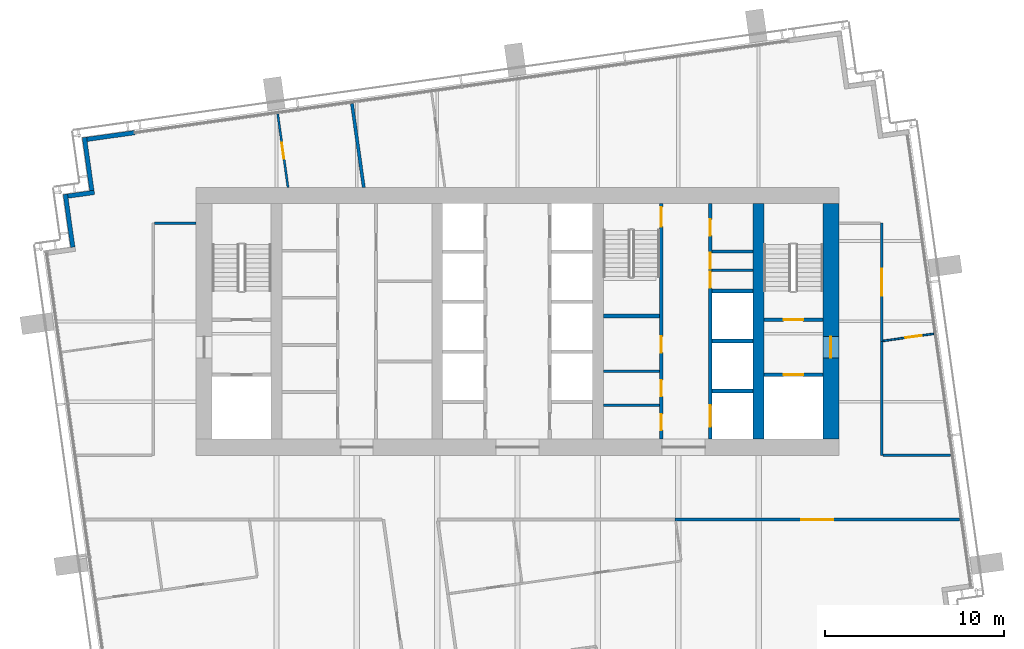
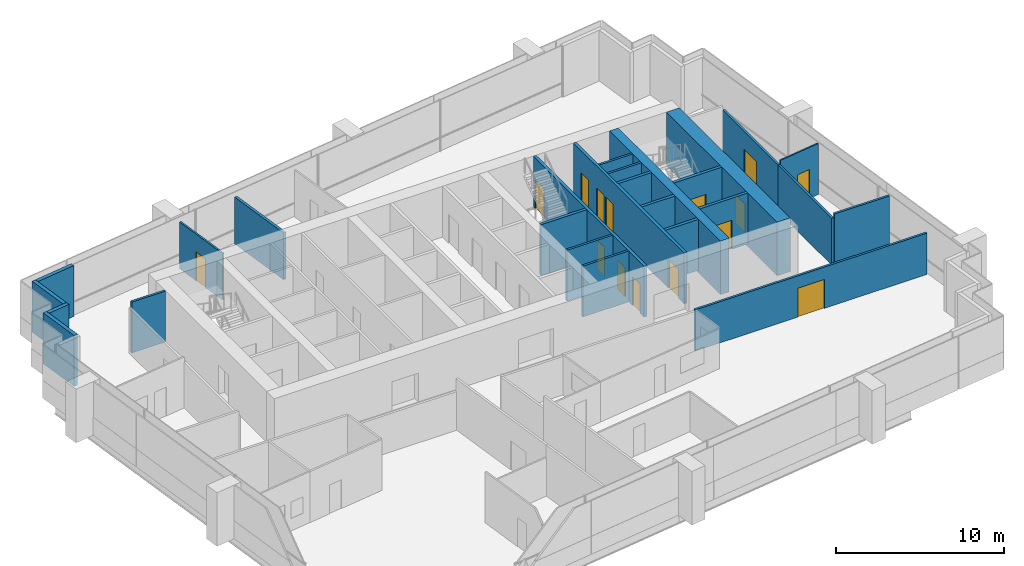
# One storey, part 10 of 15: 26 walls, 15 doors, 15 openings.
"""IFC4 building model written with IfcOpenShell, lengths in metres."""

from ifc_helpers import new_model, si_unit, direction, frame, frame_2d, origin, place, context, subcontext, project, spatial, rectangle, extrude, material, layer, layer_set, type_object, element, fill, save


model = new_model("IFC4")

# Units and contexts
model_context = context("Model", 3, precision=1e-05, world=origin(), true_north=direction((0.0, 1.0)))
body_context = subcontext(model_context, "Body", "Model", "MODEL_VIEW")
ifc_project = project(units=[si_unit("LENGTHUNIT", "METRE"), si_unit("AREAUNIT", "SQUARE_METRE"), si_unit("VOLUMEUNIT", "CUBIC_METRE"), si_unit("PLANEANGLEUNIT", "RADIAN"), si_unit("MASSUNIT", "GRAM", prefix="KILO")], contexts=[model_context])

# Site, building, storey
site_placement = place(None, origin())
site = spatial("IfcSite", under=ifc_project, at=site_placement, CompositionType="ELEMENT")
building_placement = place(site_placement, origin())
building = spatial("IfcBuilding", under=site, at=building_placement, Name="Rattan Terrace Tower", CompositionType="ELEMENT")
storey_placement = place(building_placement, frame((0.0, 0.0, 262.89990234375)))
storey = spatial("IfcBuildingStorey", under=building, at=storey_placement, Name="L60", CompositionType="ELEMENT", Elevation=262.89990234375)

# Walls
ifc_material_1 = material(Name="Gypsum board partition")
ifc_layer_1 = layer(ifc_material_1, 0.14990234375)
ifc_layer_set_1 = layer_set([ifc_layer_1], Name="Core partition 150")
wall_type_1 = type_object("IfcWallType", Name="Core partition 150", PredefinedType="PARTITIONING", material=ifc_layer_set_1)
for number, where, z_axis, x_axis, name in (
    (1, (4.800048828125, -4.696044921875, 0.0), (0.0, 0.0, 1.0), (1.0, 0.0, 0.0), "Toilet wall"),
    (2, (4.800048828125, -2.7919921875, 0.0), (0.0, 0.0, 1.0), (1.0, 0.0, 0.0), "Toilet wall"),
):
    element("IfcWall", number, at=place(storey_placement, frame(where, z_axis=z_axis, x_axis=x_axis)), inside=storey, type_object=wall_type_1, Name=name, PredefinedType="PARTITIONING", context=body_context, shape_type="SweptSolid", body=[
        extrude(rectangle(XDim=3.14990234375, YDim=0.14990234375, at=frame_2d((1.574951171875, 0.0))), origin(), (0.0, 0.0, 1.0), 3.7001953125),
    ])
for number, where, z_axis, x_axis, name in (
    (3, (10.89990234375, 2.85595703125, 0.0), (0.0, 0.0, 1.0), (1.0, 0.0, 0.0), "Riser room wall"),
    (4, (10.89990234375, 3.912109375, 0.0), (0.0, 0.0, 1.0), (1.0, 0.0, 0.0), "Riser room wall"),
):
    element("IfcWall", number, at=place(storey_placement, frame(where, z_axis=z_axis, x_axis=x_axis)), inside=storey, type_object=wall_type_1, Name=name, PredefinedType="PARTITIONING", context=body_context, shape_type="SweptSolid", body=[
        extrude(rectangle(XDim=2.300048828125, YDim=0.14990234375, at=frame_2d((1.14990234375, 0.0))), origin(), (0.0, 0.0, 1.0), 3.7001953125),
    ])

# Wall, opening, door
ifc_material_2 = material(Name="Gypsum board partition")
ifc_layer_2 = layer(ifc_material_2, 0.199951171875)
ifc_layer_set_2 = layer_set([ifc_layer_2], Name="Core partition 200")
wall_type_2 = type_object("IfcWallType", Name="Core partition 200", PredefinedType="PARTITIONING", material=ifc_layer_set_2)
wall_1_placement = place(storey_placement, frame((13.800048828125, -3.0, 0.0), z_axis=(0.0, 0.0, 1.0), x_axis=(1.0, 0.0, 0.0)))
wall_1 = element("IfcWall", 5, at=wall_1_placement, inside=storey, type_object=wall_type_2, Name="Fire-fighting lobby wall", PredefinedType="PARTITIONING", context=body_context, shape_type="SweptSolid", body=[
    extrude(rectangle(XDim=3.300048828125, YDim=0.199951171875, at=frame_2d((1.64990234375, 0.0))), origin(), (0.0, 0.0, 1.0), 3.7001953125),
])
opening_1_placement = place(wall_1_placement, frame((1.10009765625, 0.0, 0.0)))
opening_1 = element("IfcOpeningElement", 6, at=opening_1_placement, cuts=wall_1, Name="Opening L60-LD-FF2", PredefinedType="OPENING", context=body_context, shape_type="SweptSolid", body=[
    extrude(rectangle(XDim=1.10009765625, YDim=2.10009765625, at=frame_2d((0.550048828125, 1.050048828125))), frame((0.0, 0.110595703125, 0.0), z_axis=(0.0, -1.0, 0.0), x_axis=(1.0, 0.0, 0.0)), (0.0, 0.0, 1.0), 0.220947265625),
])
ifc_material_3 = material(Name="Brushed stainless landing door panel")
door_type_1 = type_object("IfcDoorType", Name="Core lift landing door 1100", OperationType="DOUBLE_DOOR_SLIDING", PredefinedType="DOOR", material=ifc_material_3)
door_1_placement = place(opening_1_placement, origin())
door_1 = element("IfcDoor", 7, at=door_1_placement, inside=storey, type_object=door_type_1, Name="Door L60-LD-FF2", OperationType="DOUBLE_DOOR_SLIDING", OverallHeight=2.10009765625, OverallWidth=1.10009765625, PredefinedType="DOOR", context=body_context, shape_type="SweptSolid", body=[
    extrude(rectangle(XDim=1.10009765625, YDim=2.10009765625, at=frame_2d((0.550048828125, 1.050048828125))), frame((0.0, 0.02490234375, 0.0), z_axis=(0.0, -1.0, 0.0), x_axis=(1.0, 0.0, 0.0)), (0.0, 0.0, 1.0), 0.050048828125),
])
fill(opening_1, door_1)

wall_2_placement = place(storey_placement, frame((13.800048828125, 0.10009765625, 0.0), z_axis=(0.0, 0.0, 1.0), x_axis=(1.0, 0.0, 0.0)))
wall_2 = element("IfcWall", 8, at=wall_2_placement, inside=storey, type_object=wall_type_2, Name="Stair enclosure wall", PredefinedType="PARTITIONING", context=body_context, shape_type="SweptSolid", body=[
    extrude(rectangle(XDim=3.300048828125, YDim=0.199951171875, at=frame_2d((1.64990234375, 0.0))), origin(), (0.0, 0.0, 1.0), 3.7001953125),
])
opening_2_placement = place(wall_2_placement, frame((1.10009765625, 0.0, 0.0)))
opening_2 = element("IfcOpeningElement", 9, at=opening_2_placement, cuts=wall_2, Name="Opening L60-D004", PredefinedType="OPENING", context=body_context, shape_type="SweptSolid", body=[
    extrude(rectangle(XDim=1.10009765625, YDim=2.10009765625, at=frame_2d((0.550048828125, 1.050048828125))), frame((0.0, 0.110595703125, 0.0), z_axis=(0.0, -1.0, 0.0), x_axis=(1.0, 0.0, 0.0)), (0.0, 0.0, 1.0), 0.220947265625),
])
ifc_material_4 = material(Name="Hollow-metal fire door leaf")
door_type_2 = type_object("IfcDoorType", Name="Core stair door 1100", OperationType="NOTDEFINED", PredefinedType="DOOR", material=ifc_material_4)
door_2_placement = place(opening_2_placement, origin())
door_2 = element("IfcDoor", 10, at=door_2_placement, inside=storey, type_object=door_type_2, Name="Door L60-D004", OperationType="SINGLE_SWING_RIGHT", OverallHeight=2.10009765625, OverallWidth=1.10009765625, PredefinedType="DOOR", context=body_context, shape_type="SweptSolid", body=[
    extrude(rectangle(XDim=1.10009765625, YDim=2.10009765625, at=frame_2d((0.550048828125, 1.050048828125))), frame((0.0, 0.02490234375, 0.0), z_axis=(0.0, -1.0, 0.0), x_axis=(1.0, 0.0, 0.0)), (0.0, 0.0, 1.0), 0.050048828125),
])
fill(opening_2, door_2)

# Wall, openings, doors
wall_3_placement = place(storey_placement, frame((8.050048828125, -6.60009765625, 0.0), z_axis=(0.0, 0.0, 1.0), x_axis=(0.0, 1.0, 0.0)))
wall_3 = element("IfcWall", 11, at=wall_3_placement, inside=storey, type_object=wall_type_2, Name="Lobby wall west", PredefinedType="PARTITIONING", context=body_context, shape_type="SweptSolid", body=[
    extrude(rectangle(XDim=13.2001953125, YDim=0.199951171875, at=frame_2d((6.60009765625, 0.0))), origin(), (0.0, 0.0, 1.0), 3.7001953125),
])
opening_3_placement = place(wall_3_placement, frame((0.501953125, 0.0, 0.0)))
opening_3 = element("IfcOpeningElement", 12, at=opening_3_placement, cuts=wall_3, Name="Opening L60-D017", PredefinedType="OPENING", context=body_context, shape_type="SweptSolid", body=[
    extrude(rectangle(XDim=0.89990234375, YDim=2.10009765625, at=frame_2d((0.449951171875, 1.050048828125))), frame((0.0, 0.110595703125, 0.0), z_axis=(0.0, -1.0, 0.0), x_axis=(1.0, 0.0, 0.0)), (0.0, 0.0, 1.0), 0.220947265625),
])
opening_4_placement = place(wall_3_placement, frame((2.406005859375, 0.0, 0.0)))
opening_4 = element("IfcOpeningElement", 13, at=opening_4_placement, cuts=wall_3, Name="Opening L60-D018", PredefinedType="OPENING", context=body_context, shape_type="SweptSolid", body=[
    extrude(rectangle(XDim=0.89990234375, YDim=2.10009765625, at=frame_2d((0.449951171875, 1.050048828125))), frame((0.0, 0.110595703125, 0.0), z_axis=(0.0, -1.0, 0.0), x_axis=(1.0, 0.0, 0.0)), (0.0, 0.0, 1.0), 0.220947265625),
])
opening_5_placement = place(wall_3_placement, frame((4.85400390625, 0.0, 0.0)))
opening_5 = element("IfcOpeningElement", 14, at=opening_5_placement, cuts=wall_3, Name="Opening L60-D019", PredefinedType="OPENING", context=body_context, shape_type="SweptSolid", body=[
    extrude(rectangle(XDim=0.89990234375, YDim=2.10009765625, at=frame_2d((0.449951171875, 1.050048828125))), frame((0.0, 0.110595703125, 0.0), z_axis=(0.0, -1.0, 0.0), x_axis=(1.0, 0.0, 0.0)), (0.0, 0.0, 1.0), 0.220947265625),
])
opening_6_placement = place(wall_3_placement, frame((11.89990234375, 0.0, 0.0)))
opening_6 = element("IfcOpeningElement", 15, at=opening_6_placement, cuts=wall_3, Name="Opening L60-D020", PredefinedType="OPENING", context=body_context, shape_type="SweptSolid", body=[
    extrude(rectangle(XDim=1.10009765625, YDim=2.10009765625, at=frame_2d((0.550048828125, 1.050048828125))), frame((0.0, 0.110595703125, 0.0), z_axis=(0.0, -1.0, 0.0), x_axis=(1.0, 0.0, 0.0)), (0.0, 0.0, 1.0), 0.220947265625),
])
door_3_placement = place(opening_6_placement, origin())
door_3 = element("IfcDoor", 16, at=door_3_placement, inside=storey, type_object=door_type_2, Name="Door L60-D020", OperationType="SINGLE_SWING_LEFT", OverallHeight=2.10009765625, OverallWidth=1.10009765625, PredefinedType="DOOR", context=body_context, shape_type="SweptSolid", body=[
    extrude(rectangle(XDim=1.10009765625, YDim=2.10009765625, at=frame_2d((0.550048828125, 1.050048828125))), frame((0.0, 0.02490234375, 0.0), z_axis=(0.0, -1.0, 0.0), x_axis=(1.0, 0.0, 0.0)), (0.0, 0.0, 1.0), 0.050048828125),
])
fill(opening_6, door_3)
ifc_material_5 = material(Name="Hollow-metal fire door leaf")
door_type_3 = type_object("IfcDoorType", Name="Core toilet door 900", OperationType="NOTDEFINED", PredefinedType="DOOR", material=ifc_material_5)
door_4_placement = place(opening_3_placement, origin())
door_4 = element("IfcDoor", 17, at=door_4_placement, inside=storey, type_object=door_type_3, Name="Door L60-D017", OperationType="SINGLE_SWING_RIGHT", OverallHeight=2.10009765625, OverallWidth=0.89990234375, PredefinedType="DOOR", context=body_context, shape_type="SweptSolid", body=[
    extrude(rectangle(XDim=0.89990234375, YDim=2.10009765625, at=frame_2d((0.449951171875, 1.050048828125))), frame((0.0, 0.02490234375, 0.0), z_axis=(0.0, -1.0, 0.0), x_axis=(1.0, 0.0, 0.0)), (0.0, 0.0, 1.0), 0.050048828125),
])
fill(opening_3, door_4)
door_5_placement = place(opening_4_placement, origin())
door_5 = element("IfcDoor", 18, at=door_5_placement, inside=storey, type_object=door_type_3, Name="Door L60-D018", OperationType="SINGLE_SWING_LEFT", OverallHeight=2.10009765625, OverallWidth=0.89990234375, PredefinedType="DOOR", context=body_context, shape_type="SweptSolid", body=[
    extrude(rectangle(XDim=0.89990234375, YDim=2.10009765625, at=frame_2d((0.449951171875, 1.050048828125))), frame((0.0, 0.02490234375, 0.0), z_axis=(0.0, -1.0, 0.0), x_axis=(1.0, 0.0, 0.0)), (0.0, 0.0, 1.0), 0.050048828125),
])
fill(opening_4, door_5)
door_6_placement = place(opening_5_placement, origin())
door_6 = element("IfcDoor", 19, at=door_6_placement, inside=storey, type_object=door_type_3, Name="Door L60-D019", OperationType="SINGLE_SWING_RIGHT", OverallHeight=2.10009765625, OverallWidth=0.89990234375, PredefinedType="DOOR", context=body_context, shape_type="SweptSolid", body=[
    extrude(rectangle(XDim=0.89990234375, YDim=2.10009765625, at=frame_2d((0.449951171875, 1.050048828125))), frame((0.0, 0.02490234375, 0.0), z_axis=(0.0, -1.0, 0.0), x_axis=(1.0, 0.0, 0.0)), (0.0, 0.0, 1.0), 0.050048828125),
])
fill(opening_5, door_6)

# Wall
wall_4_placement = place(storey_placement, frame((4.800048828125, 0.300048828125, 0.0), z_axis=(0.0, 0.0, 1.0), x_axis=(1.0, 0.0, 0.0)))
element("IfcWall", 20, at=wall_4_placement, inside=storey, type_object=wall_type_2, Name="Stair enclosure wall", PredefinedType="PARTITIONING", context=body_context, shape_type="SweptSolid", body=[
    extrude(rectangle(XDim=3.14990234375, YDim=0.199951171875, at=frame_2d((1.574951171875, 0.0))), origin(), (0.0, 0.0, 1.0), 3.7001953125),
])

# Wall, opening, door
ifc_material_6 = material(Name="Concrete C50/60", Category="concrete")
ifc_layer_3 = layer(ifc_material_6, 0.89990234375)
ifc_layer_set_3 = layer_set([ifc_layer_3], Name="Core ring wall 900 C50/60")
wall_type_3 = type_object("IfcWallType", Name="Core ring wall 900 C50/60", PredefinedType="SHEAR", material=ifc_layer_set_3)
wall_5_placement = place(storey_placement, frame((17.550048828125, -6.60009765625, -0.199951171875), z_axis=(0.0, 0.0, 1.0), x_axis=(0.0, 1.0, 0.0)))
wall_5 = element("IfcWall", 21, at=wall_5_placement, inside=storey, type_object=wall_type_3, Name="Rear core wall east", PredefinedType="SHEAR", context=body_context, shape_type="SweptSolid", body=[
    extrude(rectangle(XDim=13.2001953125, YDim=0.89990234375, at=frame_2d((6.60009765625, 0.0))), origin(), (0.0, 0.0, 1.0), 3.900146484375),
])
opening_7_placement = place(wall_5_placement, frame((4.550048828125, 0.0, 0.199951171875)))
opening_7 = element("IfcOpeningElement", 22, at=opening_7_placement, cuts=wall_5, Name="Opening L60-D003", PredefinedType="OPENING", context=body_context, shape_type="SweptSolid", body=[
    extrude(rectangle(XDim=1.199951171875, YDim=2.10009765625, at=frame_2d((0.60009765625, 1.050048828125))), frame((0.0, 0.46044921875, 0.0), z_axis=(0.0, -1.0, 0.0), x_axis=(1.0, 0.0, 0.0)), (0.0, 0.0, 1.0), 0.9208984375),
])
ifc_material_7 = material(Name="Hollow-metal fire door leaf")
door_type_4 = type_object("IfcDoorType", Name="Core fire-fighting lobby door 1200", OperationType="NOTDEFINED", PredefinedType="DOOR", material=ifc_material_7)
door_7_placement = place(opening_7_placement, origin())
door_7 = element("IfcDoor", 23, at=door_7_placement, inside=storey, type_object=door_type_4, Name="Door L60-D003", OperationType="SINGLE_SWING_LEFT", OverallHeight=2.10009765625, OverallWidth=1.199951171875, PredefinedType="DOOR", context=body_context, shape_type="SweptSolid", body=[
    extrude(rectangle(XDim=1.199951171875, YDim=2.10009765625, at=frame_2d((0.60009765625, 1.050048828125))), frame((0.0, 0.02490234375, 0.0), z_axis=(0.0, -1.0, 0.0), x_axis=(1.0, 0.0, 0.0)), (0.0, 0.0, 1.0), 0.050048828125),
])
fill(opening_7, door_7)

# Walls
ifc_material_8 = material(Name="Concrete C50/60", Category="concrete")
ifc_layer_4 = layer(ifc_material_8, 0.60009765625)
ifc_layer_set_4 = layer_set([ifc_layer_4], Name="Core spine wall 600 C50/60")
wall_type_4 = type_object("IfcWallType", Name="Core spine wall 600 C50/60", PredefinedType="SHEAR", material=ifc_layer_set_4)
wall_6_placement = place(storey_placement, frame((13.5, -6.60009765625, -0.199951171875), z_axis=(0.0, 0.0, 1.0), x_axis=(0.0, 1.0, 0.0)))
element("IfcWall", 24, at=wall_6_placement, inside=storey, type_object=wall_type_4, Name="Core spine wall 4", PredefinedType="SHEAR", context=body_context, shape_type="SweptSolid", body=[
    extrude(rectangle(XDim=13.2001953125, YDim=0.60009765625, at=frame_2d((6.60009765625, 0.0))), origin(), (0.0, 0.0, 1.0), 3.900146484375),
])
ifc_material_9 = material(Name="Insulated aluminium-clad stud wall", Category="aluminium")
ifc_layer_5 = layer(ifc_material_9, 0.25)
ifc_layer_set_5 = layer_set([ifc_layer_5], Name="Facade Riser Wall 250")
wall_type_5 = type_object("IfcWallType", Name="Facade Riser Wall 250", PredefinedType="SOLIDWALL", material=ifc_layer_set_5)
wall_7_placement = place(storey_placement, frame((-21.4404296875, 10.571533203125, 0.0), z_axis=(0.0, 0.0, 1.0), x_axis=(-0.990293105353, -0.138994839796, 0.0)))
element("IfcWall", 25, at=wall_7_placement, inside=storey, type_object=wall_type_5, Name="Riser wall L60-11", PredefinedType="SOLIDWALL", context=body_context, shape_type="SweptSolid", body=[
    extrude(rectangle(XDim=2.705078125, YDim=0.25, at=frame_2d((1.3525390625, 0.0))), origin(), (0.0, 0.0, 1.0), 3.7001953125),
])
wall_8_placement = place(storey_placement, frame((-24.260498046875, 10.302001953125, 0.0), z_axis=(0.0, 0.0, 1.0), x_axis=(0.138994228812, -0.990293191109, 0.0)))
element("IfcWall", 26, at=wall_8_placement, inside=storey, type_object=wall_type_5, Name="Riser wall L60-12", PredefinedType="SOLIDWALL", context=body_context, shape_type="SweptSolid", body=[
    extrude(rectangle(XDim=3.0, YDim=0.25, at=frame_2d((1.5, 0.0))), origin(), (0.0, 0.0, 1.0), 3.7001953125),
])
wall_9_placement = place(storey_placement, frame((-23.7021484375, 7.224853515625, 0.0), z_axis=(0.0, 0.0, 1.0), x_axis=(-0.990243596651, -0.13934711799, 0.0)))
element("IfcWall", 27, at=wall_9_placement, inside=storey, type_object=wall_type_5, Name="Riser wall L60-13", PredefinedType="SOLIDWALL", context=body_context, shape_type="SweptSolid", body=[
    extrude(rectangle(XDim=1.499755859375, YDim=0.25, at=frame_2d((0.75, 0.0))), origin(), (0.0, 0.0, 1.0), 3.7001953125),
])
wall_10_placement = place(storey_placement, frame((-25.328369140625, 7.1220703125, 0.0), z_axis=(0.0, 0.0, 1.0), x_axis=(0.139358350296, -0.990242015975, 0.0)))
element("IfcWall", 28, at=wall_10_placement, inside=storey, type_object=wall_type_5, Name="Riser wall L60-14", PredefinedType="SOLIDWALL", context=body_context, shape_type="SweptSolid", body=[
    extrude(rectangle(XDim=2.999267578125, YDim=0.25, at=frame_2d((1.49951171875, 0.0))), origin(), (0.0, 0.0, 1.0), 3.7001953125),
])
ifc_material_10 = material(Name="Double steel stud acoustic partition, gypsum board, mineral wool, fire rated", Category="steel")
ifc_layer_6 = layer(ifc_material_10, 0.179931640625)
ifc_layer_set_6 = layer_set([ifc_layer_6], Name="Floors Acoustic Party Wall 180")
wall_type_6 = type_object("IfcWallType", Name="Floors Acoustic Party Wall 180", PredefinedType="PARTITIONING", material=ifc_layer_set_6)
wall_11_placement = place(storey_placement, frame((-9.27294921875, 12.19091796875, 0.0), z_axis=(0.0, 0.0, 1.0), x_axis=(0.139104789371, -0.990277666907, 0.0)))
element("IfcWall", 29, at=wall_11_placement, inside=storey, type_object=wall_type_6, Name="pt-L60-034", PredefinedType="PARTITIONING", context=body_context, shape_type="SweptSolid", body=[
    extrude(rectangle(XDim=4.737060546875, YDim=0.179931640625, at=frame_2d((2.36865234375, 0.0))), origin(), (0.0, 0.0, 1.0), 3.400146484375),
])

# Wall, opening, door
ifc_material_11 = material(Name="Gypsum board partition on steel studs", Category="steel")
ifc_layer_7 = layer(ifc_material_11, 0.10009765625)
ifc_layer_set_7 = layer_set([ifc_layer_7], Name="Floors Partition 100")
wall_type_7 = type_object("IfcWallType", Name="Floors Partition 100", PredefinedType="PARTITIONING", material=ifc_layer_set_7)
wall_12_placement = place(storey_placement, frame((23.302978515625, -0.697021484375, 0.0), z_axis=(0.0, 0.0, 1.0), x_axis=(-0.990291093887, -0.139009170086, 0.0)))
wall_12 = element("IfcWall", 30, at=wall_12_placement, inside=storey, type_object=wall_type_7, Name="pt-L60-035", PredefinedType="PARTITIONING", context=body_context, shape_type="SweptSolid", body=[
    extrude(rectangle(XDim=2.86279296875, YDim=0.10009765625, at=frame_2d((1.431396484375, 0.0))), origin(), (0.0, 0.0, 1.0), 3.7001953125),
])
opening_8_placement = place(wall_12_placement, frame((0.68896484375, 0.0, 0.0)))
opening_8 = element("IfcOpeningElement", 31, at=opening_8_placement, cuts=wall_12, Name="Opening L60-D112", PredefinedType="OPENING", context=body_context, shape_type="SweptSolid", body=[
    extrude(rectangle(XDim=0.89990234375, YDim=2.10009765625, at=frame_2d((0.449951171875, 1.050048828125))), frame((0.0, 0.060546875, 0.0), z_axis=(0.0, -1.0, 0.0), x_axis=(1.0, 0.0, 0.0)), (0.0, 0.0, 1.0), 0.12109375),
])
ifc_material_12 = material(Name="Solid core timber door, painted", Category="wood")
door_type_5 = type_object("IfcDoorType", Name="Floors Door 900x2100", OperationType="NOTDEFINED", PredefinedType="DOOR", material=ifc_material_12)
door_8_placement = place(opening_8_placement, origin())
door_8 = element("IfcDoor", 32, at=door_8_placement, inside=storey, type_object=door_type_5, Name="d-L60-112", OperationType="SINGLE_SWING_LEFT", OverallHeight=2.10009765625, OverallWidth=0.89990234375, PredefinedType="DOOR", context=body_context, shape_type="SweptSolid", body=[
    extrude(rectangle(XDim=0.89990234375, YDim=2.10009765625, at=frame_2d((0.449951171875, 1.050048828125))), frame((0.0, 0.02490234375, 0.0), z_axis=(0.0, -1.0, 0.0), x_axis=(1.0, 0.0, 0.0)), (0.0, 0.0, 1.0), 0.050048828125),
])
fill(opening_8, door_8)

ifc_material_13 = material(Name="Gypsum board partition on steel studs, fire rated", Category="steel")
ifc_layer_8 = layer(ifc_material_13, 0.14990234375)
ifc_layer_set_8 = layer_set([ifc_layer_8], Name="Floors Tenancy Wall 150")
wall_type_8 = type_object("IfcWallType", Name="Floors Tenancy Wall 150", PredefinedType="PARTITIONING", material=ifc_layer_set_8)
wall_13_placement = place(storey_placement, frame((24.764892578125, -11.10009765625, 0.0), z_axis=(0.0, 0.0, 1.0), x_axis=(-1.0, 0.0, 0.0)))
wall_13 = element("IfcWall", 33, at=wall_13_placement, inside=storey, type_object=wall_type_8, Name="pt-L60-007", PredefinedType="PARTITIONING", context=body_context, shape_type="SweptSolid", body=[
    extrude(rectangle(XDim=15.94091796875, YDim=0.14990234375, at=frame_2d((7.970458984375, 0.0))), origin(), (0.0, 0.0, 1.0), 3.0),
])
opening_9_placement = place(wall_13_placement, frame((7.070068359375, 0.0, 0.0)))
opening_9 = element("IfcOpeningElement", 34, at=opening_9_placement, cuts=wall_13, Name="Opening L60-D104", PredefinedType="OPENING", context=body_context, shape_type="SweptSolid", body=[
    extrude(rectangle(XDim=1.800048828125, YDim=2.10009765625, at=frame_2d((0.89990234375, 1.050048828125))), frame((0.0, 0.08544921875, 0.0), z_axis=(0.0, -1.0, 0.0), x_axis=(1.0, 0.0, 0.0)), (0.0, 0.0, 1.0), 0.1708984375),
])
ifc_material_14 = material(Name="Steel fire door set", Category="steel")
door_type_6 = type_object("IfcDoorType", Name="Floors Fire Door Pair FD30S 1800x2100", OperationType="NOTDEFINED", PredefinedType="DOOR", material=ifc_material_14)
door_9_placement = place(opening_9_placement, origin())
door_9 = element("IfcDoor", 35, at=door_9_placement, inside=storey, type_object=door_type_6, Name="d-L60-104", OperationType="DOUBLE_DOOR_SINGLE_SWING", OverallHeight=2.10009765625, OverallWidth=1.800048828125, PredefinedType="DOOR", context=body_context, shape_type="SweptSolid", body=[
    extrude(rectangle(XDim=1.800048828125, YDim=2.10009765625, at=frame_2d((0.89990234375, 1.050048828125))), frame((0.0, 0.02490234375, 0.0), z_axis=(0.0, -1.0, 0.0), x_axis=(1.0, 0.0, 0.0)), (0.0, 0.0, 1.0), 0.050048828125),
])
fill(opening_9, door_9)

# Wall
wall_14_placement = place(storey_placement, frame((-20.324951171875, 5.5009765625, 0.0), z_axis=(0.0, 0.0, 1.0), x_axis=(1.0, 0.0, 0.0)))
element("IfcWall", 36, at=wall_14_placement, inside=storey, type_object=wall_type_8, Name="pt-L60-013", PredefinedType="PARTITIONING", context=body_context, shape_type="SweptSolid", body=[
    extrude(rectangle(XDim=2.324951171875, YDim=0.14990234375, at=frame_2d((1.16259765625, 0.0))), origin(), (0.0, 0.0, 1.0), 3.7001953125),
])

# Wall, opening, door
wall_15_placement = place(storey_placement, frame((20.39990234375, 5.5, 0.0), z_axis=(0.0, 0.0, 1.0), x_axis=(0.0, -1.0, 0.0)))
wall_15 = element("IfcWall", 37, at=wall_15_placement, inside=storey, type_object=wall_type_8, Name="pt-L60-017", PredefinedType="PARTITIONING", context=body_context, shape_type="SweptSolid", body=[
    extrude(rectangle(XDim=6.625, YDim=0.14990234375, at=frame_2d((3.3125, 0.0))), origin(), (0.0, 0.0, 1.0), 3.400146484375),
])
opening_10_placement = place(wall_15_placement, frame((2.56201171875, 0.0, 0.0)))
opening_10 = element("IfcOpeningElement", 38, at=opening_10_placement, cuts=wall_15, Name="Opening L60-D111", PredefinedType="OPENING", context=body_context, shape_type="SweptSolid", body=[
    extrude(rectangle(XDim=1.5, YDim=2.10009765625, at=frame_2d((0.75, 1.050048828125))), frame((0.0, 0.08544921875, 0.0), z_axis=(0.0, -1.0, 0.0), x_axis=(1.0, 0.0, 0.0)), (0.0, 0.0, 1.0), 0.1708984375),
])
ifc_material_15 = material(Name="Steel fire door set", Category="steel")
door_type_7 = type_object("IfcDoorType", Name="Floors Unit Door Pair FD30S 1500x2100", OperationType="NOTDEFINED", PredefinedType="DOOR", material=ifc_material_15)
door_10_placement = place(opening_10_placement, origin())
door_10 = element("IfcDoor", 39, at=door_10_placement, inside=storey, type_object=door_type_7, Name="d-L60-111", OperationType="DOUBLE_DOOR_SINGLE_SWING", OverallHeight=2.10009765625, OverallWidth=1.5, PredefinedType="DOOR", context=body_context, shape_type="SweptSolid", body=[
    extrude(rectangle(XDim=1.5, YDim=2.10009765625, at=frame_2d((0.75, 1.050048828125))), frame((0.0, 0.02490234375, 0.0), z_axis=(0.0, -1.0, 0.0), x_axis=(1.0, 0.0, 0.0)), (0.0, 0.0, 1.0), 0.050048828125),
])
fill(opening_10, door_10)

# Walls
wall_16_placement = place(storey_placement, frame((20.39990234375, -1.125, 0.0), z_axis=(0.0, 0.0, 1.0), x_axis=(0.0, -1.0, 0.0)))
element("IfcWall", 40, at=wall_16_placement, inside=storey, type_object=wall_type_8, Name="pt-L60-018", PredefinedType="PARTITIONING", context=body_context, shape_type="SweptSolid", body=[
    extrude(rectangle(XDim=6.375, YDim=0.14990234375, at=frame_2d((3.1875, 0.0))), origin(), (0.0, 0.0, 1.0), 3.400146484375),
])
wall_17_placement = place(storey_placement, frame((20.47509765625, -7.5, 0.0), z_axis=(0.0, 0.0, 1.0), x_axis=(1.0, 0.0, 0.0)))
element("IfcWall", 41, at=wall_17_placement, inside=storey, type_object=wall_type_8, Name="pt-L60-019", PredefinedType="PARTITIONING", context=body_context, shape_type="SweptSolid", body=[
    extrude(rectangle(XDim=3.783935546875, YDim=0.14990234375, at=frame_2d((1.89208984375, 0.0))), origin(), (0.0, 0.0, 1.0), 3.7001953125),
])

# Wall, opening, door
ifc_material_16 = material(Name="Moisture resistant gypsum board partition on steel studs with service cavity", Category="steel")
ifc_layer_9 = layer(ifc_material_16, 0.1201171875)
ifc_layer_set_9 = layer_set([ifc_layer_9], Name="Floors Wet Wall 120")
wall_type_9 = type_object("IfcWallType", Name="Floors Wet Wall 120", PredefinedType="PARTITIONING", material=ifc_layer_set_9)
wall_18_placement = place(storey_placement, frame((-13.431884765625, 11.60693359375, 0.0), z_axis=(0.0, 0.0, 1.0), x_axis=(0.139105101842, -0.990277623014, 0.0)))
wall_18 = element("IfcWall", 42, at=wall_18_placement, inside=storey, type_object=wall_type_9, Name="pt-L60-033", PredefinedType="PARTITIONING", context=body_context, shape_type="SweptSolid", body=[
    extrude(rectangle(XDim=4.147216796875, YDim=0.1201171875, at=frame_2d((2.07373046875, 0.0))), origin(), (0.0, 0.0, 1.0), 3.400146484375),
])
opening_11_placement = place(wall_18_placement, frame((1.6240234375, 0.0, 0.0)))
opening_11 = element("IfcOpeningElement", 43, at=opening_11_placement, cuts=wall_18, Name="Opening L60-D110", PredefinedType="OPENING", context=body_context, shape_type="SweptSolid", body=[
    extrude(rectangle(XDim=0.89990234375, YDim=2.10009765625, at=frame_2d((0.449951171875, 1.050048828125))), frame((0.0, 0.070556640625, 0.0), z_axis=(0.0, -1.0, 0.0), x_axis=(1.0, 0.0, 0.0)), (0.0, 0.0, 1.0), 0.14111328125),
])
door_11_placement = place(opening_11_placement, origin())
door_11 = element("IfcDoor", 44, at=door_11_placement, inside=storey, type_object=door_type_5, Name="d-L60-110", OperationType="SINGLE_SWING_LEFT", OverallHeight=2.10009765625, OverallWidth=0.89990234375, PredefinedType="DOOR", context=body_context, shape_type="SweptSolid", body=[
    extrude(rectangle(XDim=0.89990234375, YDim=2.10009765625, at=frame_2d((0.449951171875, 1.050048828125))), frame((0.0, 0.02490234375, 0.0), z_axis=(0.0, -1.0, 0.0), x_axis=(1.0, 0.0, 0.0)), (0.0, 0.0, 1.0), 0.050048828125),
])
fill(opening_11, door_11)

# Wall, openings, doors
ifc_material_17 = material(Name="Gypsum shaft wall system")
ifc_layer_10 = layer(ifc_material_17, 0.199951171875)
ifc_layer_set_10 = layer_set([ifc_layer_10], Name="Lift shaft wall 200")
wall_type_10 = type_object("IfcWallType", Name="Lift shaft wall 200", PredefinedType="PARTITIONING", material=ifc_layer_set_10)
wall_19_placement = place(storey_placement, frame((10.800048828125, -6.60009765625, 0.0), z_axis=(0.0, 0.0, 1.0), x_axis=(0.0, 1.0, 0.0)))
wall_19 = element("IfcWall", 45, at=wall_19_placement, inside=storey, type_object=wall_type_10, Name="Lift shaft front wall", PredefinedType="PARTITIONING", context=body_context, shape_type="SweptSolid", body=[
    extrude(rectangle(XDim=13.2001953125, YDim=0.199951171875, at=frame_2d((6.60009765625, 0.0))), origin(), (0.0, 0.0, 1.0), 3.7001953125),
])
opening_12_placement = place(wall_19_placement, frame((0.699951171875, 0.0, 0.0)))
opening_12 = element("IfcOpeningElement", 46, at=opening_12_placement, cuts=wall_19, Name="Opening L60-LD-SV1", PredefinedType="OPENING", context=body_context, shape_type="SweptSolid", body=[
    extrude(rectangle(XDim=1.199951171875, YDim=2.10009765625, at=frame_2d((0.60009765625, 1.050048828125))), frame((0.0, 0.110595703125, 0.0), z_axis=(0.0, -1.0, 0.0), x_axis=(1.0, 0.0, 0.0)), (0.0, 0.0, 1.0), 0.220947265625),
])
opening_13_placement = place(wall_19_placement, frame((8.47802734375, 0.0, 0.0)))
opening_13 = element("IfcOpeningElement", 47, at=opening_13_placement, cuts=wall_19, Name="Opening L60-D022", PredefinedType="OPENING", context=body_context, shape_type="SweptSolid", body=[
    extrude(rectangle(XDim=0.89990234375, YDim=2.10009765625, at=frame_2d((0.449951171875, 1.050048828125))), frame((0.0, 0.110595703125, 0.0), z_axis=(0.0, -1.0, 0.0), x_axis=(1.0, 0.0, 0.0)), (0.0, 0.0, 1.0), 0.220947265625),
])
opening_14_placement = place(wall_19_placement, frame((9.533935546875, 0.0, 0.0)))
opening_14 = element("IfcOpeningElement", 48, at=opening_14_placement, cuts=wall_19, Name="Opening L60-D023", PredefinedType="OPENING", context=body_context, shape_type="SweptSolid", body=[
    extrude(rectangle(XDim=0.89990234375, YDim=2.10009765625, at=frame_2d((0.449951171875, 1.050048828125))), frame((0.0, 0.110595703125, 0.0), z_axis=(0.0, -1.0, 0.0), x_axis=(1.0, 0.0, 0.0)), (0.0, 0.0, 1.0), 0.220947265625),
])
opening_15_placement = place(wall_19_placement, frame((11.406005859375, 0.0, 0.0)))
opening_15 = element("IfcOpeningElement", 49, at=opening_15_placement, cuts=wall_19, Name="Opening L60-D024", PredefinedType="OPENING", context=body_context, shape_type="SweptSolid", body=[
    extrude(rectangle(XDim=0.89990234375, YDim=2.10009765625, at=frame_2d((0.449951171875, 1.050048828125))), frame((0.0, 0.110595703125, 0.0), z_axis=(0.0, -1.0, 0.0), x_axis=(1.0, 0.0, 0.0)), (0.0, 0.0, 1.0), 0.220947265625),
])
ifc_material_18 = material(Name="Brushed stainless landing door panel")
door_type_8 = type_object("IfcDoorType", Name="Core lift landing door 1200", OperationType="DOUBLE_DOOR_SLIDING", PredefinedType="DOOR", material=ifc_material_18)
door_12_placement = place(opening_12_placement, origin())
door_12 = element("IfcDoor", 50, at=door_12_placement, inside=storey, type_object=door_type_8, Name="Door L60-LD-SV1", OperationType="DOUBLE_DOOR_SLIDING", OverallHeight=2.10009765625, OverallWidth=1.199951171875, PredefinedType="DOOR", context=body_context, shape_type="SweptSolid", body=[
    extrude(rectangle(XDim=1.199951171875, YDim=2.10009765625, at=frame_2d((0.60009765625, 1.050048828125))), frame((0.0, 0.02490234375, 0.0), z_axis=(0.0, -1.0, 0.0), x_axis=(1.0, 0.0, 0.0)), (0.0, 0.0, 1.0), 0.050048828125),
])
fill(opening_12, door_12)
ifc_material_19 = material(Name="Hollow-metal fire door leaf")
door_type_9 = type_object("IfcDoorType", Name="Core riser door 900", OperationType="NOTDEFINED", PredefinedType="DOOR", material=ifc_material_19)
door_13_placement = place(opening_13_placement, origin())
door_13 = element("IfcDoor", 51, at=door_13_placement, inside=storey, type_object=door_type_9, Name="Door L60-D022", OperationType="SINGLE_SWING_RIGHT", OverallHeight=2.10009765625, OverallWidth=0.89990234375, PredefinedType="DOOR", context=body_context, shape_type="SweptSolid", body=[
    extrude(rectangle(XDim=0.89990234375, YDim=2.10009765625, at=frame_2d((0.449951171875, 1.050048828125))), frame((0.0, 0.02490234375, 0.0), z_axis=(0.0, -1.0, 0.0), x_axis=(1.0, 0.0, 0.0)), (0.0, 0.0, 1.0), 0.050048828125),
])
fill(opening_13, door_13)
door_14_placement = place(opening_14_placement, origin())
door_14 = element("IfcDoor", 52, at=door_14_placement, inside=storey, type_object=door_type_9, Name="Door L60-D023", OperationType="SINGLE_SWING_LEFT", OverallHeight=2.10009765625, OverallWidth=0.89990234375, PredefinedType="DOOR", context=body_context, shape_type="SweptSolid", body=[
    extrude(rectangle(XDim=0.89990234375, YDim=2.10009765625, at=frame_2d((0.449951171875, 1.050048828125))), frame((0.0, 0.02490234375, 0.0), z_axis=(0.0, -1.0, 0.0), x_axis=(1.0, 0.0, 0.0)), (0.0, 0.0, 1.0), 0.050048828125),
])
fill(opening_14, door_14)
ifc_material_20 = material(Name="Hollow-metal fire door leaf")
door_type_10 = type_object("IfcDoorType", Name="Core service room door 900", OperationType="NOTDEFINED", PredefinedType="DOOR", material=ifc_material_20)
door_15_placement = place(opening_15_placement, origin())
door_15 = element("IfcDoor", 53, at=door_15_placement, inside=storey, type_object=door_type_10, Name="Door L60-D024", OperationType="SINGLE_SWING_RIGHT", OverallHeight=2.10009765625, OverallWidth=0.89990234375, PredefinedType="DOOR", context=body_context, shape_type="SweptSolid", body=[
    extrude(rectangle(XDim=0.89990234375, YDim=2.10009765625, at=frame_2d((0.449951171875, 1.050048828125))), frame((0.0, 0.02490234375, 0.0), z_axis=(0.0, -1.0, 0.0), x_axis=(1.0, 0.0, 0.0)), (0.0, 0.0, 1.0), 0.050048828125),
])
fill(opening_15, door_15)

# Walls
for number, where, z_axis, x_axis, name in (
    (54, (10.89990234375, -3.89990234375, 0.0), (0.0, 0.0, 1.0), (1.0, 0.0, 0.0), "Lift shaft wall"),
    (55, (10.89990234375, -1.10009765625, 0.0), (0.0, 0.0, 1.0), (1.0, 0.0, 0.0), "Lift shaft wall"),
    (56, (10.89990234375, 1.699951171875, 0.0), (0.0, 0.0, 1.0), (1.0, 0.0, 0.0), "Lift shaft wall"),
):
    element("IfcWall", number, at=place(storey_placement, frame(where, z_axis=z_axis, x_axis=x_axis)), inside=storey, type_object=wall_type_10, Name=name, PredefinedType="PARTITIONING", context=body_context, shape_type="SweptSolid", body=[
        extrude(rectangle(XDim=2.300048828125, YDim=0.199951171875, at=frame_2d((1.14990234375, 0.0))), origin(), (0.0, 0.0, 1.0), 3.7001953125),
    ])

save(model, "model.ifc")
